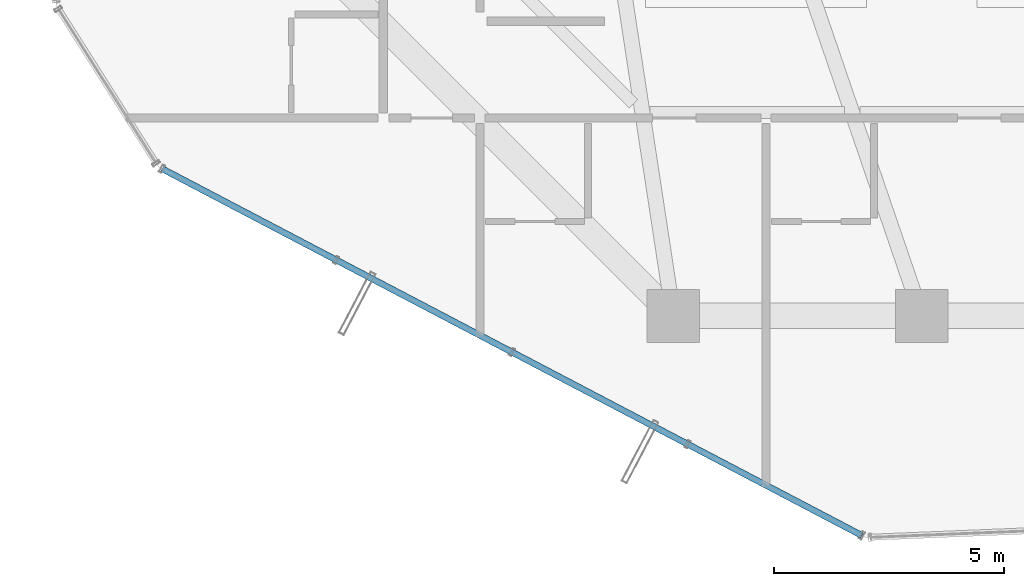
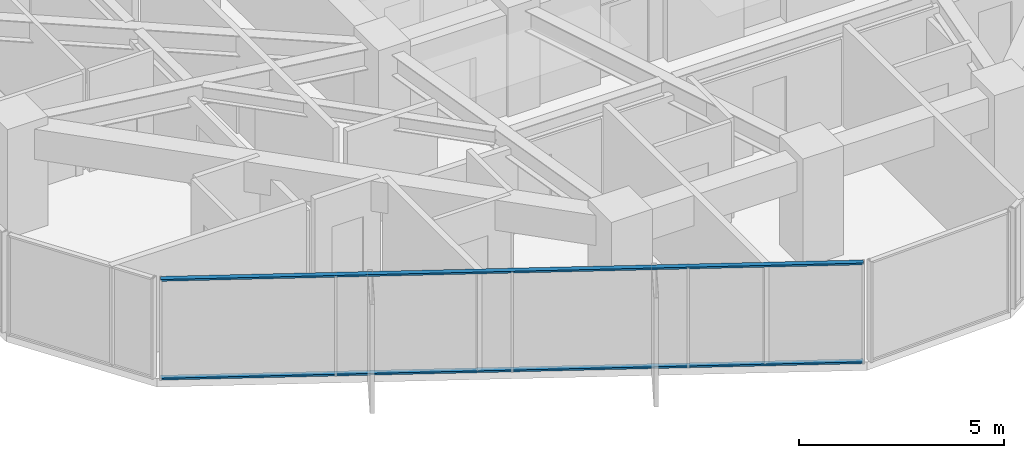
# One storey, part 3 of 32: 2 members, 1 element without a shape of its own.
"""IFC4 building model written with IfcOpenShell, lengths in metres."""

from ifc_helpers import new_model, si_unit, direction, frame, origin, origin_2d, place, context, subcontext, project, spatial, hollow_rectangle, extrude, source, transform, mapped, material, layer, layer_set, material_profile, profile_set, type_object, element, aggregate, save


model = new_model("IFC4")

# Units and contexts
model_context = context("Model", 3, precision=1e-05, world=origin(), true_north=direction((0.0, 1.0)))
body_context = subcontext(model_context, "Body", "Model", "MODEL_VIEW")
ifc_project = project(units=[si_unit("LENGTHUNIT", "METRE"), si_unit("AREAUNIT", "SQUARE_METRE"), si_unit("VOLUMEUNIT", "CUBIC_METRE"), si_unit("PLANEANGLEUNIT", "RADIAN"), si_unit("MASSUNIT", "GRAM", prefix="KILO")], contexts=[model_context])

# Site, building, storey
site_placement = place(None, origin())
site = spatial("IfcSite", under=ifc_project, at=site_placement, CompositionType="ELEMENT")
building_placement = place(site_placement, origin())
building = spatial("IfcBuilding", under=site, at=building_placement, Name="Veraguas Prism Commons", CompositionType="ELEMENT")
storey_placement = place(building_placement, frame((0.0, 0.0, 136.0)))
storey = spatial("IfcBuildingStorey", under=building, at=storey_placement, Name="L38", CompositionType="ELEMENT", Elevation=136.0)

# Curtain wall, members
ifc_material = material(Name="Anodised aluminium EN AW-6063 T6", Category="aluminium")
ifc_layer = layer(ifc_material, 0.169921875, Name="Unitised Flush Curtain Wall Zone 2", Category="aluminium")
ifc_layer_set = layer_set([ifc_layer], Name="Anodised aluminium EN AW-6063 T6")
curtain_wall_type = type_object("IfcCurtainWallType", Name="Unitised Flush Curtain Wall Zone 2", PredefinedType="NOTDEFINED", material=ifc_layer_set)
curtain_wall_placement = place(storey_placement, origin())
curtain_wall = element("IfcCurtainWall", 1, at=curtain_wall_placement, inside=storey, type_object=curtain_wall_type, Name="Tower Facade Curtain Wall L38-F4", PredefinedType="NOTDEFINED")
ifc_material_profile = material_profile(ifc_material, hollow_rectangle(XDim=0.054931640625, YDim=0.135009765625, WallThickness=0.0029296875, at=origin_2d()), Name="AL55X135X3")
ifc_profile_set = profile_set([ifc_material_profile], Name="Anodised aluminium EN AW-6063 T6")
member_type = type_object("IfcMemberType", Name="Curtain Wall Transom Standard AL 55x135x3", PredefinedType="USERDEFINED", material=ifc_profile_set)
shared_shape = source(origin(), body_context, "Body", "SweptSolid", [
    extrude(hollow_rectangle(XDim=0.054931640625, YDim=0.135009765625, WallThickness=0.0029296875, at=origin_2d()), origin(), (0.0, 0.0, 1.0), 17.17431640625),
])
member_1_placement = place(storey_placement, frame((7.4892578125, 10.99609375, 0.027587890625), z_axis=(0.88572049302, -0.464218922755, 0.0), x_axis=(0.0, 0.0, 1.0)))
member_1 = element("IfcMember", 2, at=member_1_placement, type_object=member_type, Name="CW-Z2 Transom 1", ObjectType="TRANSOM", PredefinedType="USERDEFINED", context=body_context, shape_type="MappedRepresentation", body=[
    mapped(shared_shape, transform((0.0, 0.0, 0.0), scale=1.0)),
])
member_2_placement = place(storey_placement, frame((7.4892578125, 10.99609375, 2.972412109375), z_axis=(0.88572049302, -0.464218922755, 0.0), x_axis=(0.0, 0.0, 1.0)))
member_2 = element("IfcMember", 3, at=member_2_placement, type_object=member_type, Name="CW-Z2 Transom 2", ObjectType="TRANSOM", PredefinedType="USERDEFINED", context=body_context, shape_type="MappedRepresentation", body=[
    mapped(shared_shape, transform((0.0, 0.0, 0.0), scale=1.0)),
])
aggregate(curtain_wall, [member_1, member_2])

save(model, "model.ifc")
